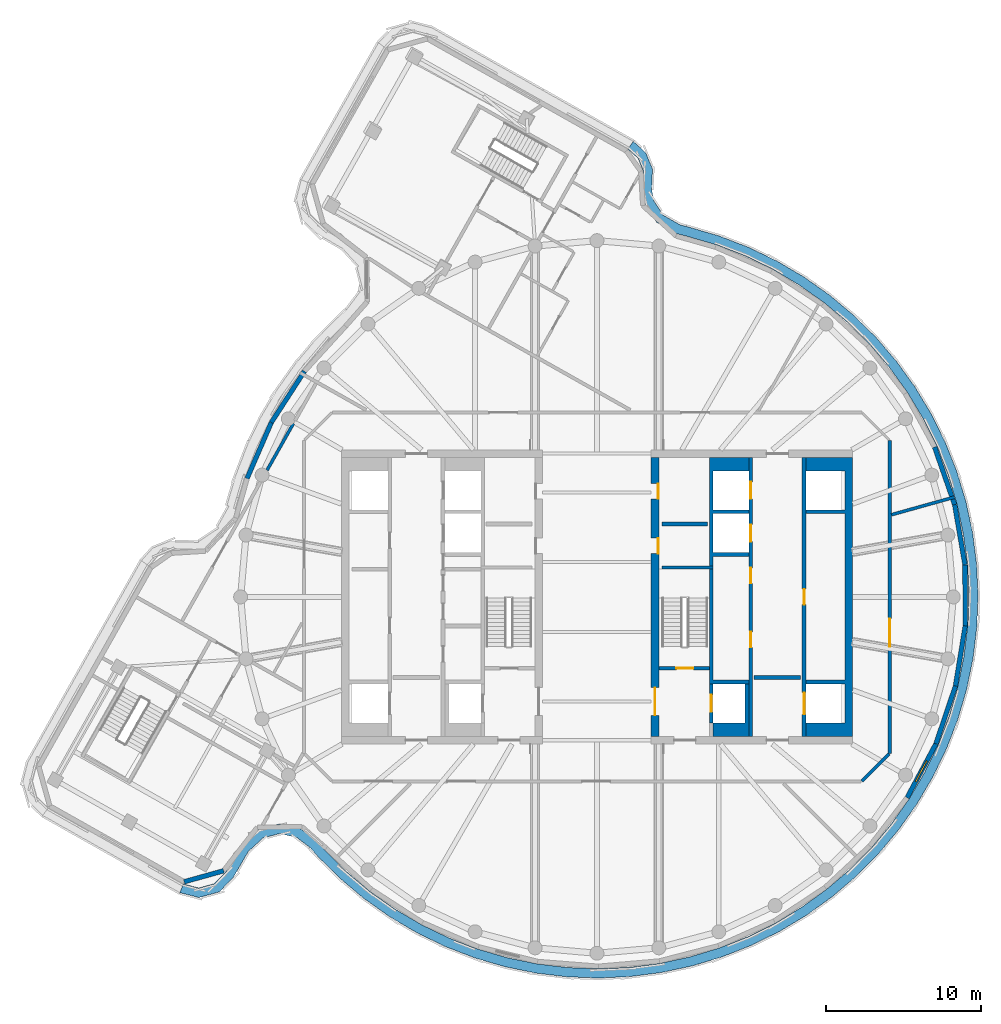
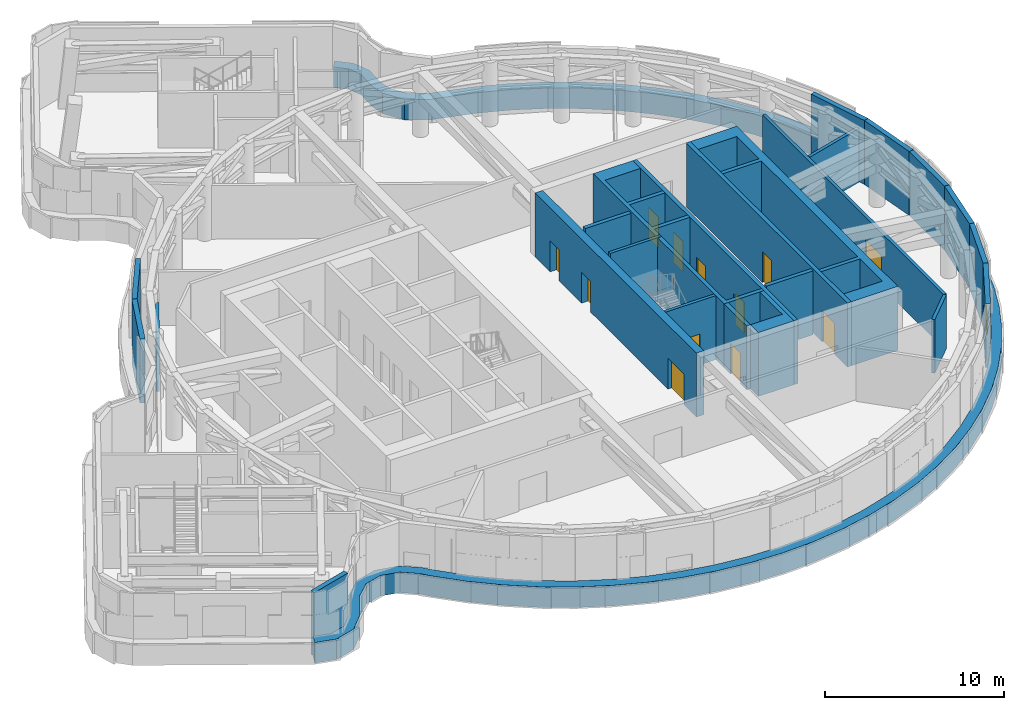
# One storey, part 7 of 15: 24 walls, 12 doors, 1 member, 1 window, 13 openings.
"""IFC4 building model written with IfcOpenShell, lengths in metres."""

import ifcopenshell
import ifcopenshell.guid

model = None  # the IFC model being written
_history = None  # IfcOwnerHistory: only IFC2X3 demands one
_inside = {}  # id of a spatial element -> (the spatial element, [elements in it])
_under = {}  # id of a project, library or spatial element -> (it, [spatial elements below it])
_declared = {}  # id of a project -> (the project, [libraries it declares])
_typed = {}  # id of a type object -> (the type object, [elements of that type])
_made_of = {}  # id of a material, layer set ... -> (it, [elements and type objects made of it])


def new_model(schema):
    """Start an empty IFC model of exactly this schema.

    Asked for "IFC4X3", IfcOpenShell would pick the latest addendum, in which some entities
    have other attributes; the version numbers below select the first issue.
    IFC2X3 requires an IfcOwnerHistory on every rooted entity: one is made here for all.
    """
    global model, _history
    if schema == "IFC4X3":
        model = ifcopenshell.file(schema_version=(4, 3, 0, 0))
    else:
        model = ifcopenshell.file(schema=schema)
    _inside.clear()
    _under.clear()
    _declared.clear()
    _typed.clear()
    _made_of.clear()
    _history = None
    if model.schema == "IFC2X3":
        org = make("IfcOrganization", Name="unknown")
        user = make(
            "IfcPersonAndOrganization",
            ThePerson=make("IfcPerson", FamilyName="unknown"),
            TheOrganization=org,
        )
        app = make(
            "IfcApplication",
            ApplicationDeveloper=org,
            Version="unknown",
            ApplicationFullName="unknown",
            ApplicationIdentifier="unknown",
        )
        _history = make(
            "IfcOwnerHistory",
            OwningUser=user,
            OwningApplication=app,
            ChangeAction="ADDED",
            CreationDate=0,
        )
    return model


def make(cls, **values):
    """One entity of the class cls with the attributes given. An attribute that is None is left unset."""
    return model.create_entity(
        cls, **{name: value for name, value in values.items() if value is not None}
    )


def rooted(cls, **values):
    """An entity with a GlobalId (a new one), such as an element, a storey or a relation."""
    return make(cls, GlobalId=ifcopenshell.guid.new(), OwnerHistory=_history, **values)


def si_unit(unit_type, name, prefix=None):
    """IfcSIUnit, for example si_unit("LENGTHUNIT", "METRE", prefix="MILLI")."""
    return make("IfcSIUnit", UnitType=unit_type, Prefix=prefix, Name=name)


def assignment(units):
    """IfcUnitAssignment: the units of a project."""
    return None if units is None else make("IfcUnitAssignment", Units=units)


def point(xyz):
    """IfcCartesianPoint."""
    return None if xyz is None else make("IfcCartesianPoint", Coordinates=xyz)


def direction(xyz):
    """IfcDirection."""
    return None if xyz is None else make("IfcDirection", DirectionRatios=xyz)


def frame(location, z_axis=None, x_axis=None):
    """IfcAxis2Placement3D, a coordinate frame: its origin and axes. An axis left out is left unset."""
    return make(
        "IfcAxis2Placement3D",
        Location=point(location),
        Axis=direction(z_axis),
        RefDirection=direction(x_axis),
    )


def frame_2d(location, x_axis=None):
    """IfcAxis2Placement2D, a coordinate frame in the plane: its origin and x axis."""
    return make(
        "IfcAxis2Placement2D", Location=point(location), RefDirection=direction(x_axis)
    )


def origin():
    """The frame at (0, 0, 0) with its axes left unset."""
    return frame((0.0, 0.0, 0.0))


def place(relative_to, where):
    """IfcLocalPlacement: puts the frame where relative to a parent placement (None: the world)."""
    return make(
        "IfcLocalPlacement", PlacementRelTo=relative_to, RelativePlacement=where
    )


def context(
    kind, dimensions, precision=None, world=None, true_north=None, identifier=None
):
    """IfcGeometricRepresentationContext, for example the 3D "Model" context."""
    return make(
        "IfcGeometricRepresentationContext",
        ContextIdentifier=identifier,
        ContextType=kind,
        CoordinateSpaceDimension=dimensions,
        Precision=precision,
        WorldCoordinateSystem=world,
        TrueNorth=true_north,
    )


def subcontext(parent, identifier, kind, view, scale=None):
    """IfcGeometricRepresentationSubContext, for example "Body" below "Model"."""
    return make(
        "IfcGeometricRepresentationSubContext",
        ContextIdentifier=identifier,
        ContextType=kind,
        ParentContext=parent,
        TargetScale=scale,
        TargetView=view,
    )


def project(units=None, contexts=None):
    """IfcProject with its units and contexts."""
    return rooted(
        "IfcProject",
        Name="project",
        RepresentationContexts=contexts,
        UnitsInContext=assignment(units),
    )


def spatial(cls, under=None, at=None, **own):
    """A site, building, storey or space (cls), placed at a placement, below another one or the project."""
    s = rooted(cls, ObjectPlacement=at, **own)
    if under is not None:
        _under.setdefault(under.id(), (under, []))[1].append(s)
    return s


def polyline(points):
    """IfcPolyline through the points."""
    return make("IfcPolyline", Points=[point(p) for p in points])


def profile(cls, at=None, kind="AREA", **sizes):
    """A parametric profile (cls). Its sizes go by their IFC names, for example OverallWidth=200.0."""
    return make(cls, ProfileType=kind, Position=at, **sizes)


def rectangle(**sizes):
    """IfcRectangleProfileDef."""
    return profile("IfcRectangleProfileDef", **sizes)


def outline(outer, holes=None, kind="AREA"):
    """IfcArbitraryClosedProfileDef: a profile drawn as a closed curve; with holes, ...WithVoids."""
    if holes is None:
        return make("IfcArbitraryClosedProfileDef", ProfileType=kind, OuterCurve=outer)
    return make(
        "IfcArbitraryProfileDefWithVoids",
        ProfileType=kind,
        OuterCurve=outer,
        InnerCurves=holes,
    )


def extrude(swept, where, along, depth):
    """IfcExtrudedAreaSolid: the profile swept, set in the frame where, extruded along a direction by depth."""
    return make(
        "IfcExtrudedAreaSolid",
        SweptArea=swept,
        Position=where,
        ExtrudedDirection=direction(along),
        Depth=depth,
    )


def shape(context_of_items, identifier, shape_type, items):
    """IfcShapeRepresentation: the items that make up one representation, for example the "Body"."""
    return make(
        "IfcShapeRepresentation",
        ContextOfItems=context_of_items,
        RepresentationIdentifier=identifier,
        RepresentationType=shape_type,
        Items=items,
    )


def material(Name=None, Category=None):
    """IfcMaterial."""
    return make("IfcMaterial", Name=Name, Category=Category)


def layer(
    of_material, thickness, ventilated=None, Name=None, Category=None, Priority=None
):
    """IfcMaterialLayer: one layer of a wall or slab, of a material (None: an air gap)."""
    return make(
        "IfcMaterialLayer",
        Material=of_material,
        LayerThickness=thickness,
        IsVentilated=ventilated,
        Name=Name,
        Category=Category,
        Priority=Priority,
    )


def layer_set(layers, Name=None):
    """IfcMaterialLayerSet."""
    return make("IfcMaterialLayerSet", MaterialLayers=layers, LayerSetName=Name)


def made_of(thing, what):
    """Note that an element or type object is made of a material, layer set ...; save() writes the relation."""
    if what is not None:
        _made_of.setdefault(what.id(), (what, []))[1].append(thing)
    return thing


def type_object(cls, material=None, **own):
    """A type object (cls), such as IfcWallType, which elements share."""
    return made_of(rooted(cls, **own), material)


def element(
    cls,
    number,
    at=None,
    inside=None,
    cuts=None,
    type_object=None,
    material=None,
    context=None,
    identifier="Body",
    shape_type=None,
    held_by="IfcProductDefinitionShape",
    body=None,
    shapes=None,
    **own,
):
    """One element of the class cls, such as IfcWall. Its Tag is "e" and its number.

    at: its placement. inside: the storey or other place that contains it. cuts: it is an
    opening in that element (IfcRelVoidsElement). A single representation is given by context,
    identifier, shape_type and body (its items); several are given by shapes. held_by: the class
    of the entity that holds the representations. save() writes the other relations.
    """
    e = rooted(cls, Tag="e%d" % number, ObjectPlacement=at, **own)
    if body is not None:
        shapes = [shape(context, identifier, shape_type, body)]
    if shapes is not None:
        e.Representation = make(held_by, Representations=shapes)
    if inside is not None:
        _inside.setdefault(inside.id(), (inside, []))[1].append(e)
    if cuts is not None:
        rooted(
            "IfcRelVoidsElement", RelatingBuildingElement=cuts, RelatedOpeningElement=e
        )
    if type_object is not None:
        _typed.setdefault(type_object.id(), (type_object, []))[1].append(e)
    return made_of(e, material)


def fill(opening, filler):
    """IfcRelFillsElement: the door or window that sits in an opening."""
    return rooted(
        "IfcRelFillsElement",
        RelatingOpeningElement=opening,
        RelatedBuildingElement=filler,
    )


def aggregate(whole, parts):
    """IfcRelAggregates: a whole, such as a stair, and the parts it consists of."""
    return rooted("IfcRelAggregates", RelatingObject=whole, RelatedObjects=parts)


def save(model, path):
    """Write the relations noted so far, then the file.

    IfcRelAggregates (storeys below a building ...), IfcRelContainedInSpatialStructure (elements
    in a storey), IfcRelDefinesByType, IfcRelAssociatesMaterial and IfcRelDeclares: one each for
    every whole, place, type object, material and project.
    """
    for whole, parts in _under.values():
        aggregate(whole, parts)
    for where, things in _inside.values():
        rooted(
            "IfcRelContainedInSpatialStructure",
            RelatedElements=things,
            RelatingStructure=where,
        )
    for kind, things in _typed.values():
        rooted("IfcRelDefinesByType", RelatedObjects=things, RelatingType=kind)
    for what, things in _made_of.values():
        rooted("IfcRelAssociatesMaterial", RelatedObjects=things, RelatingMaterial=what)
    for by, libraries in _declared.values():
        rooted("IfcRelDeclares", RelatingContext=by, RelatedDefinitions=libraries)
    model.write(path)


model = new_model("IFC4")

# Units and contexts
model_context = context("Model", 3, precision=1e-05, world=origin(), true_north=direction((0.0, 1.0)))
body_context = subcontext(model_context, "Body", "Model", "MODEL_VIEW")
ifc_project = project(units=[si_unit("LENGTHUNIT", "METRE"), si_unit("AREAUNIT", "SQUARE_METRE"), si_unit("VOLUMEUNIT", "CUBIC_METRE"), si_unit("PLANEANGLEUNIT", "RADIAN"), si_unit("MASSUNIT", "GRAM", prefix="KILO")], contexts=[model_context])

# Member
ifc_material_1 = material(Name="Aluminium and insulated spandrel panel", Category="aluminium")
member_type = type_object("IfcMemberType", Name="Floor-edge blade transom", PredefinedType="USERDEFINED", material=ifc_material_1)
site_placement = place(None, origin())
building_placement = place(site_placement, origin())
storey_placement = place(building_placement, frame((0.0, 0.0, 252.300048828125)))
member_placement = place(storey_placement, origin())
member = element("IfcMember", 1, at=member_placement, type_object=member_type, Name="CWT-L64-01", ObjectType="TRANSOM", PredefinedType="USERDEFINED", context=body_context, shape_type="SweptSolid", body=[
    extrude(outline(polyline([(-26.699951171875, -18.525390625), (-25.697265625, -18.782958984375), (-24.7001953125, -18.504638671875), (-23.975830078125, -17.764892578125), (-22.974365234375, -16.046630859375), (-21.849609375, -15.011962890625), (-20.488037109375, -14.65576171875), (-19.1162109375, -14.970703125), (-18.076171875, -15.76025390625), (-17.584228515625, -16.327880859375), (-16.17578125, -17.72412109375), (-14.656982421875, -18.99951171875), (-13.0380859375, -20.14501953125), (-11.329833984375, -21.15283203125), (-9.54443359375, -22.01611328125), (-7.69384765625, -22.72900390625), (-5.79052734375, -23.286865234375), (-3.84765625, -23.685546875), (-1.878662109375, -23.92236328125), (0.103271484375, -23.995849609375), (2.08447265625, -23.9052734375), (4.051513671875, -23.6513671875), (5.99072265625, -23.236083984375), (7.88916015625, -22.662109375), (9.733642578125, -21.93310546875), (11.511474609375, -21.054443359375), (13.2109375, -20.031982421875), (14.820068359375, -18.87255859375), (16.327880859375, -17.584228515625), (17.72412109375, -16.17578125), (18.99951171875, -14.656982421875), (20.14501953125, -13.0380859375), (21.15283203125, -11.329833984375), (22.01611328125, -9.54443359375), (22.72900390625, -7.69384765625), (23.286865234375, -5.79052734375), (23.685546875, -3.84765625), (23.92236328125, -1.878662109375), (23.995849609375, 0.103271484375), (23.9052734375, 2.08447265625), (23.6513671875, 4.051513671875), (23.236083984375, 5.99072265625), (22.662109375, 7.88916015625), (21.93310546875, 9.733642578125), (21.054443359375, 11.511474609375), (20.031982421875, 13.2109375), (18.87255859375, 14.820068359375), (17.584228515625, 16.327880859375), (16.17578125, 17.72412109375), (14.656982421875, 18.99951171875), (13.0380859375, 20.14501953125), (11.329833984375, 21.15283203125), (9.54443359375, 22.01611328125), (7.69384765625, 22.72900390625), (5.79052734375, 23.286865234375), (5.162841796875, 23.4462890625), (3.86328125, 24.17822265625), (3.107666015625, 25.325439453125), (2.93212890625, 26.23388671875), (2.949462890625, 26.923583984375), (2.980712890625, 27.5068359375), (2.644775390625, 28.321533203125), (1.990966796875, 28.9130859375), (2.34375, 29.40283203125), (3.147705078125, 28.67578125), (3.5869140625, 27.610107421875), (3.549072265625, 26.900146484375), (3.533447265625, 26.28369140625), (3.674072265625, 25.55615234375), (4.2841796875, 24.629638671875), (5.387939453125, 24.00830078125), (5.94873046875, 23.86572265625), (7.88623046875, 23.2978515625), (9.783203125, 22.567138671875), (11.613525390625, 21.68212890625), (13.3642578125, 20.64892578125), (15.023681640625, 19.474853515625), (16.580810546875, 18.167724609375), (18.0244140625, 16.736572265625), (19.344970703125, 15.19091796875), (20.533203125, 13.54150390625), (21.581298828125, 11.799560546875), (22.482177734375, 9.97705078125), (23.229248046875, 8.08642578125), (23.817626953125, 6.140625), (24.243408203125, 4.15283203125), (24.50341796875, 2.13671875), (24.59619140625, 0.10595703125), (24.52099609375, -1.925537109375), (24.2783203125, -3.944091796875), (23.86962890625, -5.935302734375), (23.2978515625, -7.88623046875), (22.567138671875, -9.783203125), (21.68212890625, -11.613525390625), (20.64892578125, -13.3642578125), (19.474853515625, -15.023681640625), (18.167724609375, -16.580810546875), (16.736572265625, -18.0244140625), (15.19091796875, -19.344970703125), (13.54150390625, -20.533203125), (11.799560546875, -21.581298828125), (9.97705078125, -22.482177734375), (8.08642578125, -23.229248046875), (6.140625, -23.817626953125), (4.15283203125, -24.243408203125), (2.13671875, -24.50341796875), (0.10595703125, -24.59619140625), (-1.925537109375, -24.52099609375), (-3.944091796875, -24.2783203125), (-5.935302734375, -23.86962890625), (-7.88623046875, -23.2978515625), (-9.783203125, -22.567138671875), (-11.613525390625, -21.68212890625), (-13.3642578125, -20.64892578125), (-15.023681640625, -19.474853515625), (-16.580810546875, -18.167724609375), (-18.02294921875, -16.738037109375), (-18.48876953125, -16.200439453125), (-19.376220703125, -15.526611328125), (-20.478515625, -15.2734375), (-21.55322265625, -15.5546875), (-22.501708984375, -16.4267578125), (-23.494873046875, -18.13134765625), (-24.384033203125, -19.039306640625), (-25.69091796875, -19.404052734375), (-26.92578125, -19.0869140625), (-26.699951171875, -18.525390625)])), origin(), (0.0, 0.0, 1.0), 1.39990234375),
])

# Site, building, storey
site = spatial("IfcSite", under=ifc_project, at=site_placement, CompositionType="ELEMENT")
building = spatial("IfcBuilding", under=site, at=building_placement, Name="Tamarind Cross Interchange Tower", CompositionType="ELEMENT")
storey = spatial("IfcBuildingStorey", under=building, at=storey_placement, Name="L64", CompositionType="ELEMENT", Elevation=252.300048828125)

# Wall
ifc_material_2 = material(Name="Concrete C50", Category="concrete")
ifc_layer_1 = layer(ifc_material_2, 0.5)
ifc_layer_set_1 = layer_set([ifc_layer_1], Name="Concrete C50")
wall_type_1 = type_object("IfcWallType", Name="Core wall 500 mm Concrete C50", PredefinedType="SHEAR", material=ifc_layer_set_1)
wall_1_placement = place(storey_placement, origin())
element("IfcWall", 2, at=wall_1_placement, inside=storey, type_object=wall_type_1, Name="Core wall CWL-L64-E-A", PredefinedType="SHEAR", context=body_context, shape_type="SweptSolid", body=[
    extrude(outline(polyline([(13.5, -8.125), (13.5, -9.0), (16.0, -9.0), (16.5, -9.0), (16.5, 9.0), (16.0, 9.0), (13.5, 9.0), (13.5, 8.125), (16.0, 8.125), (16.0, 5.625), (13.5, 5.625), (13.5, 5.375), (16.0, 5.375), (16.0, -5.375), (13.5, -5.375), (13.5, -5.625), (16.0, -5.625), (16.0, -8.125), (13.5, -8.125)])), origin(), (0.0, 0.0, 1.0), 4.35986328125),
])

# Wall, openings, doors
wall_2_placement = place(storey_placement, frame((3.75, -9.0, 0.0), z_axis=(0.0, 0.0, 1.0), x_axis=(0.0, 1.0, 0.0)))
wall_2 = element("IfcWall", 3, at=wall_2_placement, inside=storey, type_object=wall_type_1, Name="Core wall CWL-L64-E-IN", PredefinedType="SHEAR", context=body_context, shape_type="SweptSolid", body=[
    extrude(rectangle(XDim=18.0, YDim=0.5, at=frame_2d((9.0, 0.0))), origin(), (0.0, 0.0, 1.0), 4.35986328125),
])
opening_1_placement = place(wall_2_placement, frame((1.35009765625, 0.0, 0.0)))
opening_1 = element("IfcOpeningElement", 4, at=opening_1_placement, cuts=wall_2, Name="Opening DCE4", PredefinedType="OPENING", context=body_context, shape_type="SweptSolid", body=[
    extrude(rectangle(XDim=1.800048828125, YDim=2.10009765625, at=frame_2d((0.89990234375, 1.050048828125))), frame((0.0, 0.260009765625, 0.0), z_axis=(0.0, -1.0, 0.0), x_axis=(1.0, 0.0, 0.0)), (0.0, 0.0, 1.0), 0.52001953125),
])
opening_2_placement = place(wall_2_placement, frame((11.797607421875, 0.0, 0.0)))
opening_2 = element("IfcOpeningElement", 5, at=opening_2_placement, cuts=wall_2, Name="Opening DCE5", PredefinedType="OPENING", context=body_context, shape_type="SweptSolid", body=[
    extrude(rectangle(XDim=1.0, YDim=2.10009765625, at=frame_2d((0.5, 1.050048828125))), frame((0.0, 0.260009765625, 0.0), z_axis=(0.0, -1.0, 0.0), x_axis=(1.0, 0.0, 0.0)), (0.0, 0.0, 1.0), 0.52001953125),
])
opening_3_placement = place(wall_2_placement, frame((15.322509765625, 0.0, 0.0)))
opening_3 = element("IfcOpeningElement", 6, at=opening_3_placement, cuts=wall_2, Name="Opening DCE5", PredefinedType="OPENING", context=body_context, shape_type="SweptSolid", body=[
    extrude(rectangle(XDim=1.0, YDim=2.10009765625, at=frame_2d((0.5, 1.050048828125))), frame((0.0, 0.260009765625, 0.0), z_axis=(0.0, -1.0, 0.0), x_axis=(1.0, 0.0, 0.0)), (0.0, 0.0, 1.0), 0.52001953125),
])
ifc_material_3 = material(Name="Steel, fire-resisting", Category="steel")
door_type_1 = type_object("IfcDoorType", Name="Core fire door 1000 x 2100 FD90", OperationType="SINGLE_SWING_LEFT", PredefinedType="DOOR", material=ifc_material_3)
door_1_placement = place(opening_2_placement, origin())
door_1 = element("IfcDoor", 7, at=door_1_placement, inside=storey, type_object=door_type_1, Name="L64 plant store door", OperationType="SINGLE_SWING_LEFT", OverallHeight=2.10009765625, OverallWidth=1.0, PredefinedType="DOOR", context=body_context, shape_type="SweptSolid", body=[
    extrude(rectangle(XDim=1.0, YDim=2.10009765625, at=frame_2d((0.5, 1.050048828125))), frame((0.0, -0.1748046875, 0.0), z_axis=(0.0, -1.0, 0.0), x_axis=(1.0, 0.0, 0.0)), (0.0, 0.0, 1.0), 0.050048828125),
])
fill(opening_2, door_1)
door_2_placement = place(opening_3_placement, origin())
door_2 = element("IfcDoor", 8, at=door_2_placement, inside=storey, type_object=door_type_1, Name="L64 pump store door", OperationType="SINGLE_SWING_LEFT", OverallHeight=2.10009765625, OverallWidth=1.0, PredefinedType="DOOR", context=body_context, shape_type="SweptSolid", body=[
    extrude(rectangle(XDim=1.0, YDim=2.10009765625, at=frame_2d((0.5, 1.050048828125))), frame((0.0, -0.1748046875, 0.0), z_axis=(0.0, -1.0, 0.0), x_axis=(1.0, 0.0, 0.0)), (0.0, 0.0, 1.0), 0.050048828125),
])
fill(opening_3, door_2)
door_type_2 = type_object("IfcDoorType", Name="Core fire door 1800 x 2100 FD90", OperationType="SINGLE_SWING_LEFT", PredefinedType="DOOR", material=ifc_material_3)
door_3_placement = place(opening_1_placement, origin())
door_3 = element("IfcDoor", 9, at=door_3_placement, inside=storey, type_object=door_type_2, Name="L64 firefighting lobby door", OperationType="SINGLE_SWING_LEFT", OverallHeight=2.10009765625, OverallWidth=1.800048828125, PredefinedType="DOOR", context=body_context, shape_type="SweptSolid", body=[
    extrude(rectangle(XDim=1.800048828125, YDim=2.10009765625, at=frame_2d((0.89990234375, 1.050048828125))), frame((0.0, 0.02490234375, 0.0), z_axis=(0.0, -1.0, 0.0), x_axis=(1.0, 0.0, 0.0)), (0.0, 0.0, 1.0), 0.050048828125),
])
fill(opening_1, door_3)

# Walls
ifc_layer_2 = layer(ifc_material_2, 0.199951171875)
ifc_layer_set_2 = layer_set([ifc_layer_2], Name="Concrete C50")
wall_type_2 = type_object("IfcWallType", Name="Core web wall 200 mm Concrete C50", PredefinedType="SHEAR", material=ifc_layer_set_2)
wall_3_placement = place(storey_placement, frame((7.5, 1.89990234375, 0.0), z_axis=(0.0, 0.0, 1.0), x_axis=(-1.0, 0.0, 0.0)))
element("IfcWall", 10, at=wall_3_placement, inside=storey, type_object=wall_type_2, Name="Core wall CWL-L64-E-BD", PredefinedType="SHEAR", context=body_context, shape_type="SweptSolid", body=[
    extrude(rectangle(XDim=3.300048828125, YDim=0.199951171875, at=frame_2d((1.64990234375, 0.0))), origin(), (0.0, 0.0, 1.0), 4.35986328125),
])
ifc_layer_3 = layer(ifc_material_2, 0.25)
ifc_layer_set_3 = layer_set([ifc_layer_3], Name="Concrete C50")
wall_type_3 = type_object("IfcWallType", Name="Core web wall 250 mm Concrete C50", PredefinedType="SHEAR", material=ifc_layer_set_3)
wall_4_placement = place(storey_placement, origin())
element("IfcWall", 11, at=wall_4_placement, inside=storey, type_object=wall_type_3, Name="Core wall CWL-L64-E-BN", PredefinedType="SHEAR", context=body_context, shape_type="SweptSolid", body=[
    extrude(outline(polyline([(9.800048828125, -5.375), (7.5, -5.375), (7.5, 2.625), (9.800048828125, 2.625), (9.800048828125, 2.875), (7.5, 2.875), (7.5, 5.375), (9.800048828125, 5.375), (9.800048828125, 5.625), (7.5, 5.625), (7.5, 8.125), (9.800048828125, 8.125), (9.800048828125, 9.0), (7.5, 9.0), (7.25, 9.0), (7.25, -5.625), (7.5, -5.625), (9.800048828125, -5.625), (9.800048828125, -5.375)])), origin(), (0.0, 0.0, 1.0), 4.35986328125),
])
wall_5_placement = place(storey_placement, origin())
element("IfcWall", 12, at=wall_5_placement, inside=storey, type_object=wall_type_3, Name="Core wall CWL-L64-E-BS", PredefinedType="SHEAR", context=body_context, shape_type="SweptSolid", body=[
    extrude(outline(polyline([(7.5, -8.125), (7.5, -9.0), (9.800048828125, -9.0), (9.800048828125, -8.125), (9.800048828125, -5.625), (9.550048828125, -5.625), (9.550048828125, -8.125), (7.5, -8.125)])), origin(), (0.0, 0.0, 1.0), 4.35986328125),
])

# Wall, openings, doors
wall_6_placement = place(storey_placement, frame((13.375, -9.0, 0.0), z_axis=(0.0, 0.0, 1.0), x_axis=(0.0, 1.0, 0.0)))
wall_6 = element("IfcWall", 13, at=wall_6_placement, inside=storey, type_object=wall_type_3, Name="Core wall CWL-L64-E-LA", PredefinedType="SHEAR", context=body_context, shape_type="SweptSolid", body=[
    extrude(rectangle(XDim=18.0, YDim=0.25, at=frame_2d((9.0, 0.0))), origin(), (0.0, 0.0, 1.0), 4.35986328125),
])
opening_4_placement = place(wall_6_placement, frame((1.425048828125, 0.0, 0.0)))
opening_4 = element("IfcOpeningElement", 14, at=opening_4_placement, cuts=wall_6, Name="Opening LD13L64", PredefinedType="OPENING", context=body_context, shape_type="SweptSolid", body=[
    extrude(rectangle(XDim=1.39990234375, YDim=2.10009765625, at=frame_2d((0.699951171875, 1.050048828125))), frame((0.0, 0.135009765625, 0.0), z_axis=(0.0, -1.0, 0.0), x_axis=(1.0, 0.0, 0.0)), (0.0, 0.0, 1.0), 0.27001953125),
])
opening_5_placement = place(wall_6_placement, frame((8.5, 0.0, 0.0)))
opening_5 = element("IfcOpeningElement", 15, at=opening_5_placement, cuts=wall_6, Name="Opening DCE9", PredefinedType="OPENING", context=body_context, shape_type="SweptSolid", body=[
    extrude(rectangle(XDim=1.0, YDim=2.10009765625, at=frame_2d((0.5, 1.050048828125))), frame((0.0, 0.135009765625, 0.0), z_axis=(0.0, -1.0, 0.0), x_axis=(1.0, 0.0, 0.0)), (0.0, 0.0, 1.0), 0.27001953125),
])
door_4_placement = place(opening_5_placement, origin())
door_4 = element("IfcDoor", 16, at=door_4_placement, inside=storey, type_object=door_type_1, Name="L64 Refuge battery room door", OperationType="SINGLE_SWING_LEFT", OverallHeight=2.10009765625, OverallWidth=1.0, PredefinedType="DOOR", context=body_context, shape_type="SweptSolid", body=[
    extrude(rectangle(XDim=1.0, YDim=2.10009765625, at=frame_2d((0.5, 1.050048828125))), frame((0.0, 0.02490234375, 0.0), z_axis=(0.0, -1.0, 0.0), x_axis=(1.0, 0.0, 0.0)), (0.0, 0.0, 1.0), 0.050048828125),
])
fill(opening_5, door_4)
ifc_material_4 = material(Name="Stainless steel panel", Category="steel")
door_type_3 = type_object("IfcDoorType", Name="Lift landing door 1400 x 2100 E 120", OperationType="SLIDING_TO_LEFT", PredefinedType="DOOR", material=ifc_material_4)
door_5_placement = place(opening_4_placement, origin())
door_5 = element("IfcDoor", 17, at=door_5_placement, inside=storey, type_object=door_type_3, Name="L64 landing door LF13", OperationType="SLIDING_TO_LEFT", OverallHeight=2.10009765625, OverallWidth=1.39990234375, PredefinedType="DOOR", context=body_context, shape_type="SweptSolid", body=[
    extrude(rectangle(XDim=1.39990234375, YDim=2.10009765625, at=frame_2d((0.699951171875, 1.050048828125))), frame((0.0, 0.02490234375, 0.0), z_axis=(0.0, -1.0, 0.0), x_axis=(1.0, 0.0, 0.0)), (0.0, 0.0, 1.0), 0.050048828125),
])
fill(opening_4, door_5)

wall_7_placement = place(storey_placement, frame((9.925048828125, -9.0, 0.0), z_axis=(0.0, 0.0, 1.0), x_axis=(0.0, 1.0, 0.0)))
wall_7 = element("IfcWall", 18, at=wall_7_placement, inside=storey, type_object=wall_type_3, Name="Core wall CWL-L64-E-LB", PredefinedType="SHEAR", context=body_context, shape_type="SweptSolid", body=[
    extrude(rectangle(XDim=18.0, YDim=0.25, at=frame_2d((9.0, 0.0))), origin(), (0.0, 0.0, 1.0), 4.35986328125),
])
opening_6_placement = place(wall_7_placement, frame((12.574951171875, 0.0, 0.0)))
opening_6 = element("IfcOpeningElement", 19, at=opening_6_placement, cuts=wall_7, Name="Opening LD23L64", PredefinedType="OPENING", context=body_context, shape_type="SweptSolid", body=[
    extrude(rectangle(XDim=1.10009765625, YDim=2.10009765625, at=frame_2d((0.550048828125, 1.050048828125))), frame((0.0, 0.135009765625, 0.0), z_axis=(0.0, -1.0, 0.0), x_axis=(1.0, 0.0, 0.0)), (0.0, 0.0, 1.0), 0.27001953125),
])
opening_7_placement = place(wall_7_placement, frame((15.324951171875, 0.0, 0.0)))
opening_7 = element("IfcOpeningElement", 20, at=opening_7_placement, cuts=wall_7, Name="Opening LD24L64", PredefinedType="OPENING", context=body_context, shape_type="SweptSolid", body=[
    extrude(rectangle(XDim=1.10009765625, YDim=2.10009765625, at=frame_2d((0.550048828125, 1.050048828125))), frame((0.0, 0.135009765625, 0.0), z_axis=(0.0, -1.0, 0.0), x_axis=(1.0, 0.0, 0.0)), (0.0, 0.0, 1.0), 0.27001953125),
])
opening_8_placement = place(wall_7_placement, frame((5.75, 0.0, 0.0)))
opening_8 = element("IfcOpeningElement", 21, at=opening_8_placement, cuts=wall_7, Name="Opening DCE21", PredefinedType="OPENING", context=body_context, shape_type="SweptSolid", body=[
    extrude(rectangle(XDim=1.0, YDim=2.10009765625, at=frame_2d((0.5, 1.050048828125))), frame((0.0, 0.135009765625, 0.0), z_axis=(0.0, -1.0, 0.0), x_axis=(1.0, 0.0, 0.0)), (0.0, 0.0, 1.0), 0.27001953125),
])
opening_9_placement = place(wall_7_placement, frame((9.875, 0.0, 0.0)))
opening_9 = element("IfcOpeningElement", 22, at=opening_9_placement, cuts=wall_7, Name="Opening DCE21", PredefinedType="OPENING", context=body_context, shape_type="SweptSolid", body=[
    extrude(rectangle(XDim=1.0, YDim=2.10009765625, at=frame_2d((0.5, 1.050048828125))), frame((0.0, 0.135009765625, 0.0), z_axis=(0.0, -1.0, 0.0), x_axis=(1.0, 0.0, 0.0)), (0.0, 0.0, 1.0), 0.27001953125),
])
door_6_placement = place(opening_8_placement, origin())
door_6 = element("IfcDoor", 23, at=door_6_placement, inside=storey, type_object=door_type_1, Name="L64 Refuge pump room door", OperationType="SINGLE_SWING_LEFT", OverallHeight=2.10009765625, OverallWidth=1.0, PredefinedType="DOOR", context=body_context, shape_type="SweptSolid", body=[
    extrude(rectangle(XDim=1.0, YDim=2.10009765625, at=frame_2d((0.5, 1.050048828125))), frame((0.0, 0.02490234375, 0.0), z_axis=(0.0, -1.0, 0.0), x_axis=(1.0, 0.0, 0.0)), (0.0, 0.0, 1.0), 0.050048828125),
])
fill(opening_8, door_6)
door_7_placement = place(opening_9_placement, origin())
door_7 = element("IfcDoor", 24, at=door_7_placement, inside=storey, type_object=door_type_1, Name="L64 Refuge plant room door", OperationType="SINGLE_SWING_LEFT", OverallHeight=2.10009765625, OverallWidth=1.0, PredefinedType="DOOR", context=body_context, shape_type="SweptSolid", body=[
    extrude(rectangle(XDim=1.0, YDim=2.10009765625, at=frame_2d((0.5, 1.050048828125))), frame((0.0, 0.02490234375, 0.0), z_axis=(0.0, -1.0, 0.0), x_axis=(1.0, 0.0, 0.0)), (0.0, 0.0, 1.0), 0.050048828125),
])
fill(opening_9, door_7)
door_type_4 = type_object("IfcDoorType", Name="Lift landing door 1100 x 2100 E 120", OperationType="SLIDING_TO_LEFT", PredefinedType="DOOR", material=ifc_material_4)
door_8_placement = place(opening_6_placement, origin())
door_8 = element("IfcDoor", 25, at=door_8_placement, inside=storey, type_object=door_type_4, Name="L64 landing door LF23", OperationType="SLIDING_TO_LEFT", OverallHeight=2.10009765625, OverallWidth=1.10009765625, PredefinedType="DOOR", context=body_context, shape_type="SweptSolid", body=[
    extrude(rectangle(XDim=1.10009765625, YDim=2.10009765625, at=frame_2d((0.550048828125, 1.050048828125))), frame((0.0, 0.02490234375, 0.0), z_axis=(0.0, -1.0, 0.0), x_axis=(1.0, 0.0, 0.0)), (0.0, 0.0, 1.0), 0.050048828125),
])
fill(opening_6, door_8)
door_9_placement = place(opening_7_placement, origin())
door_9 = element("IfcDoor", 26, at=door_9_placement, inside=storey, type_object=door_type_4, Name="L64 landing door LF24", OperationType="SLIDING_TO_LEFT", OverallHeight=2.10009765625, OverallWidth=1.10009765625, PredefinedType="DOOR", context=body_context, shape_type="SweptSolid", body=[
    extrude(rectangle(XDim=1.10009765625, YDim=2.10009765625, at=frame_2d((0.550048828125, 1.050048828125))), frame((0.0, 0.02490234375, 0.0), z_axis=(0.0, -1.0, 0.0), x_axis=(1.0, 0.0, 0.0)), (0.0, 0.0, 1.0), 0.050048828125),
])
fill(opening_7, door_9)

# Wall, opening, door
wall_8_placement = place(storey_placement, frame((7.375, -8.125, 0.0), z_axis=(0.0, 0.0, 1.0), x_axis=(0.0, 1.0, 0.0)))
wall_8 = element("IfcWall", 27, at=wall_8_placement, inside=storey, type_object=wall_type_3, Name="Core wall CWL-L64-E-FF", PredefinedType="SHEAR", context=body_context, shape_type="SweptSolid", body=[
    extrude(rectangle(XDim=2.5, YDim=0.25, at=frame_2d((1.25, 0.0))), origin(), (0.0, 0.0, 1.0), 4.35986328125),
])
opening_10_placement = place(wall_8_placement, frame((0.699951171875, 0.0, 0.0)))
opening_10 = element("IfcOpeningElement", 28, at=opening_10_placement, cuts=wall_8, Name="Opening LD19L64", PredefinedType="OPENING", context=body_context, shape_type="SweptSolid", body=[
    extrude(rectangle(XDim=1.10009765625, YDim=2.10009765625, at=frame_2d((0.550048828125, 1.050048828125))), frame((0.0, 0.135009765625, 0.0), z_axis=(0.0, -1.0, 0.0), x_axis=(1.0, 0.0, 0.0)), (0.0, 0.0, 1.0), 0.27001953125),
])
door_10_placement = place(opening_10_placement, origin())
door_10 = element("IfcDoor", 29, at=door_10_placement, inside=storey, type_object=door_type_4, Name="L64 landing door LF19", OperationType="SLIDING_TO_LEFT", OverallHeight=2.10009765625, OverallWidth=1.10009765625, PredefinedType="DOOR", context=body_context, shape_type="SweptSolid", body=[
    extrude(rectangle(XDim=1.10009765625, YDim=2.10009765625, at=frame_2d((0.550048828125, 1.050048828125))), frame((0.0, 0.02490234375, 0.0), z_axis=(0.0, -1.0, 0.0), x_axis=(1.0, 0.0, 0.0)), (0.0, 0.0, 1.0), 0.050048828125),
])
fill(opening_10, door_10)

# Walls
ifc_material_5 = material(Name="Gypsum board partition on steel studs", Category="steel")
ifc_layer_4 = layer(ifc_material_5, 0.199951171875)
ifc_layer_set_4 = layer_set([ifc_layer_4], Name="Gypsum board partition on steel studs")
wall_type_4 = type_object("IfcWallType", Name="Partition 200 mm EI 180", PredefinedType="PARTITIONING", material=ifc_layer_set_4)
wall_9_placement = place(storey_placement, frame((19.0107421875, 5.306884765625, 0.0), z_axis=(0.0, 0.0, 1.0), x_axis=(0.963121770568, 0.269065893524, 0.0)))
element("IfcWall", 30, at=wall_9_placement, inside=storey, type_object=wall_type_4, Name="Partition L64-022", PredefinedType="PARTITIONING", context=body_context, shape_type="SweptSolid", body=[
    extrude(rectangle(XDim=4.222900390625, YDim=0.199951171875, at=frame_2d((2.111328125, 0.0))), origin(), (0.0, 0.0, 1.0), 3.659912109375),
])
wall_10_placement = place(storey_placement, frame((17.10009765625, -11.89990234375, 0.0), z_axis=(0.0, 0.0, 1.0), x_axis=(0.707106781187, 0.707106781187, 0.0)))
element("IfcWall", 31, at=wall_10_placement, inside=storey, type_object=wall_type_4, Name="Partition L64-025", PredefinedType="PARTITIONING", context=body_context, shape_type="SweptSolid", body=[
    extrude(rectangle(XDim=2.485595703125, YDim=0.199951171875, at=frame_2d((1.24267578125, 0.0))), origin(), (0.0, 0.0, 1.0), 3.659912109375),
])
wall_11_placement = place(storey_placement, frame((-21.295166015625, 8.177001953125, 0.0), z_axis=(0.0, 0.0, 1.0), x_axis=(0.490973223741, 0.871174663067, 0.0)))
element("IfcWall", 32, at=wall_11_placement, inside=storey, type_object=wall_type_4, Name="Partition L64-028", PredefinedType="PARTITIONING", context=body_context, shape_type="SweptSolid", body=[
    extrude(rectangle(XDim=3.466796875, YDim=0.199951171875, at=frame_2d((1.7333984375, 0.0))), origin(), (0.0, 0.0, 1.0), 3.659912109375),
])

# Wall, opening, door
wall_12_placement = place(storey_placement, frame((18.89990234375, -10.10009765625, 0.0), z_axis=(0.0, 0.0, 1.0), x_axis=(0.0, 1.0, 0.0)))
wall_12 = element("IfcWall", 33, at=wall_12_placement, inside=storey, type_object=wall_type_4, Name="Partition L64-045", PredefinedType="PARTITIONING", context=body_context, shape_type="SweptSolid", body=[
    extrude(rectangle(XDim=20.2001953125, YDim=0.199951171875, at=frame_2d((10.10009765625, 0.0))), origin(), (0.0, 0.0, 1.0), 3.659912109375),
])
opening_11_placement = place(wall_12_placement, frame((6.89990234375, 0.0, 0.0)))
opening_11 = element("IfcOpeningElement", 34, at=opening_11_placement, cuts=wall_12, Name="Opening D20", PredefinedType="OPENING", context=body_context, shape_type="SweptSolid", body=[
    extrude(rectangle(XDim=1.800048828125, YDim=2.10009765625, at=frame_2d((0.89990234375, 1.050048828125))), frame((0.0, 0.10986328125, 0.0), z_axis=(0.0, -1.0, 0.0), x_axis=(1.0, 0.0, 0.0)), (0.0, 0.0, 1.0), 0.219970703125),
])
ifc_material_6 = material(Name="Fire-resisting door set")
door_type_5 = type_object("IfcDoorType", Name="Interior door 1800 x 2100 FD120S", OperationType="DOUBLE_DOOR_SINGLE_SWING", PredefinedType="DOOR", material=ifc_material_6)
door_11_placement = place(opening_11_placement, frame((1.800048828125, 0.0, 0.0), z_axis=(0.0, 0.0, 1.0), x_axis=(-1.0, 0.0, 0.0)))
door_11 = element("IfcDoor", 35, at=door_11_placement, inside=storey, type_object=door_type_5, Name="Door D20", OperationType="DOUBLE_DOOR_SINGLE_SWING", OverallHeight=2.10009765625, OverallWidth=1.800048828125, PredefinedType="DOOR", context=body_context, shape_type="SweptSolid", body=[
    extrude(rectangle(XDim=1.800048828125, YDim=2.10009765625, at=frame_2d((0.89990234375, 1.050048828125))), frame((0.0, 0.02490234375, 0.0), z_axis=(0.0, -1.0, 0.0), x_axis=(1.0, 0.0, 0.0)), (0.0, 0.0, 1.0), 0.050048828125),
])
fill(opening_11, door_11)

# Wall
ifc_material_7 = material(Name="Precast concrete C40", Category="concrete")
ifc_layer_5 = layer(ifc_material_7, 0.300048828125)
ifc_layer_set_5 = layer_set([ifc_layer_5], Name="Precast concrete C40")
wall_type_5 = type_object("IfcWallType", Name="Plant louvre wall", PredefinedType="SOLIDWALL", material=ifc_layer_set_5)
wall_13_placement = place(storey_placement, frame((-26.6435546875, -18.385009765625, 0.0), z_axis=(0.0, 0.0, 1.0), x_axis=(0.963126802739, 0.269047880209, 0.0)))
wall_13 = element("IfcWall", 36, at=wall_13_placement, inside=storey, type_object=wall_type_5, Name="EXW-L64-01-00", PredefinedType="SOLIDWALL", context=body_context, shape_type="SweptSolid", body=[
    extrude(rectangle(XDim=2.645263671875, YDim=0.300048828125, at=frame_2d((1.32275390625, 0.0))), origin(), (0.0, 0.0, 1.0), 4.35986328125),
])

aggregate(wall_13, [member])

# Wall, opening, window
wall_14_placement = place(storey_placement, frame((20.018798828125, -12.956298828125, 0.0), z_axis=(0.0, 0.0, 1.0), x_axis=(0.472180126088, 0.881502086513, 0.0)))
wall_14 = element("IfcWall", 37, at=wall_14_placement, inside=storey, type_object=wall_type_5, Name="EXW-L64-01-15", PredefinedType="SOLIDWALL", context=body_context, shape_type="SweptSolid", body=[
    extrude(rectangle(XDim=3.9384765625, YDim=0.300048828125, at=frame_2d((1.96923828125, 0.0))), origin(), (0.0, 0.0, 1.0), 4.35986328125),
])
opening_12_placement = place(wall_14_placement, frame((1.199951171875, 0.0, 1.39990234375)))
opening_12 = element("IfcOpeningElement", 38, at=opening_12_placement, cuts=wall_14, Name="Opening W5", PredefinedType="OPENING", context=body_context, shape_type="SweptSolid", body=[
    extrude(rectangle(XDim=1.5, YDim=1.0, at=frame_2d((0.75, 0.5))), frame((0.0, 0.159912109375, 0.0), z_axis=(0.0, -1.0, 0.0), x_axis=(1.0, 0.0, 0.0)), (0.0, 0.0, 1.0), 0.320068359375),
])
ifc_material_8 = material(Name="Aluminium and fire-resisting glass", Category="aluminium")
window_type = type_object("IfcWindowType", Name="Refuge opening window", PartitioningType="DOUBLE_PANEL_VERTICAL", PredefinedType="WINDOW", material=ifc_material_8)
window_placement = place(opening_12_placement, origin())
window = element("IfcWindow", 39, at=window_placement, inside=storey, type_object=window_type, Name="RSW-L64-01-04", OverallHeight=1.0, OverallWidth=1.5, PartitioningType="SINGLE_PANEL", PredefinedType="WINDOW", context=body_context, shape_type="SweptSolid", body=[
    extrude(rectangle(XDim=1.5, YDim=1.0, at=frame_2d((0.75, 0.5))), frame((0.0, 0.030029296875, 0.0), z_axis=(0.0, -1.0, 0.0), x_axis=(1.0, 0.0, 0.0)), (0.0, 0.0, 1.0), 0.06005859375),
])
fill(opening_12, window)

# Walls
wall_15_placement = place(storey_placement, frame((21.87841796875, -9.484619140625, 0.0), z_axis=(0.0, 0.0, 1.0), x_axis=(0.320613287718, 0.947210177172, 0.0)))
element("IfcWall", 40, at=wall_15_placement, inside=storey, type_object=wall_type_5, Name="EXW-L64-01-16", PredefinedType="SOLIDWALL", context=body_context, shape_type="SweptSolid", body=[
    extrude(rectangle(XDim=3.9384765625, YDim=0.300048828125, at=frame_2d((1.96923828125, 0.0))), origin(), (0.0, 0.0, 1.0), 4.35986328125),
])
wall_16_placement = place(storey_placement, frame((23.14111328125, -5.754150390625, 0.0), z_axis=(0.0, 0.0, 1.0), x_axis=(0.160376439891, 0.987055924215, 0.0)))
element("IfcWall", 41, at=wall_16_placement, inside=storey, type_object=wall_type_5, Name="EXW-L64-01-17", PredefinedType="SOLIDWALL", context=body_context, shape_type="SweptSolid", body=[
    extrude(rectangle(XDim=3.938232421875, YDim=0.300048828125, at=frame_2d((1.96923828125, 0.0))), origin(), (0.0, 0.0, 1.0), 4.35986328125),
])
wall_17_placement = place(storey_placement, frame((23.772705078125, -1.866943359375, 0.0), z_axis=(0.0, 0.0, 1.0), x_axis=(-0.004339160737, 0.999990585798, 0.0)))
element("IfcWall", 42, at=wall_17_placement, inside=storey, type_object=wall_type_5, Name="EXW-L64-01-18", PredefinedType="SOLIDWALL", context=body_context, shape_type="SweptSolid", body=[
    extrude(rectangle(XDim=3.9384765625, YDim=0.300048828125, at=frame_2d((1.96923828125, 0.0))), origin(), (0.0, 0.0, 1.0), 4.35986328125),
])
wall_18_placement = place(storey_placement, frame((23.755615234375, 2.071533203125, 0.0), z_axis=(0.0, 0.0, 1.0), x_axis=(-0.168810670753, 0.985648495885, 0.0)))
element("IfcWall", 43, at=wall_18_placement, inside=storey, type_object=wall_type_5, Name="EXW-L64-01-19", PredefinedType="SOLIDWALL", context=body_context, shape_type="SweptSolid", body=[
    extrude(rectangle(XDim=3.93798828125, YDim=0.300048828125, at=frame_2d((1.968994140625, 0.0))), origin(), (0.0, 0.0, 1.0), 4.35986328125),
])
wall_19_placement = place(storey_placement, frame((23.0908203125, 5.953125, 0.0), z_axis=(0.0, 0.0, 1.0), x_axis=(-0.328789892836, 0.944403095277, 0.0)))
element("IfcWall", 44, at=wall_19_placement, inside=storey, type_object=wall_type_5, Name="EXW-L64-01-20", PredefinedType="SOLIDWALL", context=body_context, shape_type="SweptSolid", body=[
    extrude(rectangle(XDim=3.9384765625, YDim=0.300048828125, at=frame_2d((1.96923828125, 0.0))), origin(), (0.0, 0.0, 1.0), 4.35986328125),
])
wall_20_placement = place(storey_placement, frame((-18.880615234375, 14.565185546875, 0.0), z_axis=(0.0, 0.0, 1.0), x_axis=(-0.54336180104, -0.839498632024, 0.0)))
element("IfcWall", 45, at=wall_20_placement, inside=storey, type_object=wall_type_5, Name="EXW-L64-04-05", PredefinedType="SOLIDWALL", context=body_context, shape_type="SweptSolid", body=[
    extrude(rectangle(XDim=3.938232421875, YDim=0.300048828125, at=frame_2d((1.96923828125, 0.0))), origin(), (0.0, 0.0, 1.0), 4.35986328125),
])
wall_21_placement = place(storey_placement, frame((-21.0205078125, 11.259033203125, 0.0), z_axis=(0.0, 0.0, 1.0), x_axis=(-0.397723990735, -0.917505110173, 0.0)))
element("IfcWall", 46, at=wall_21_placement, inside=storey, type_object=wall_type_5, Name="EXW-L64-04-06", PredefinedType="SOLIDWALL", context=body_context, shape_type="SweptSolid", body=[
    extrude(rectangle(XDim=3.9384765625, YDim=0.300048828125, at=frame_2d((1.96923828125, 0.0))), origin(), (0.0, 0.0, 1.0), 4.35986328125),
])
ifc_material_9 = material(Name="Concrete C40", Category="concrete")
ifc_layer_6 = layer(ifc_material_9, 0.25)
ifc_layer_set_6 = layer_set([ifc_layer_6], Name="Concrete C40")
wall_type_6 = type_object("IfcWallType", Name="Shaft and lobby wall 250 mm Concrete C40", PredefinedType="PARTITIONING", material=ifc_layer_set_6)
wall_22_placement = place(storey_placement, frame((7.14990234375, 4.719970703125, 0.0), z_axis=(0.0, 0.0, 1.0), x_axis=(-1.0, 0.0, 0.0)))
element("IfcWall", 47, at=wall_22_placement, inside=storey, type_object=wall_type_6, Name="Shaft wall CWL-L64-E-SVP", PredefinedType="PARTITIONING", context=body_context, shape_type="SweptSolid", body=[
    extrude(rectangle(XDim=2.949951171875, YDim=0.25, at=frame_2d((1.47509765625, 0.0))), origin(), (0.0, 0.0, 1.0), 4.35986328125),
])
wall_23_placement = place(storey_placement, frame((13.14990234375, -5.199951171875, 0.0), z_axis=(0.0, 0.0, 1.0), x_axis=(-1.0, 0.0, 0.0)))
element("IfcWall", 48, at=wall_23_placement, inside=storey, type_object=wall_type_6, Name="Shaft wall CWL-L64-E-EVP", PredefinedType="PARTITIONING", context=body_context, shape_type="SweptSolid", body=[
    extrude(rectangle(XDim=3.0, YDim=0.25, at=frame_2d((1.5, 0.0))), origin(), (0.0, 0.0, 1.0), 4.35986328125),
])

# Wall, opening, door
ifc_layer_7 = layer(ifc_material_9, 0.199951171875)
ifc_layer_set_7 = layer_set([ifc_layer_7], Name="Concrete C40")
wall_type_7 = type_object("IfcWallType", Name="Stair shaft wall 200 mm Concrete C40", PredefinedType="SHEAR", material=ifc_layer_set_7)
wall_24_placement = place(storey_placement, frame((7.25, -4.60009765625, 0.0), z_axis=(0.0, 0.0, 1.0), x_axis=(-1.0, 0.0, 0.0)))
wall_24 = element("IfcWall", 49, at=wall_24_placement, inside=storey, type_object=wall_type_7, Name="Core wall CWL-L64-E-SD", PredefinedType="SHEAR", context=body_context, shape_type="SweptSolid", body=[
    extrude(rectangle(XDim=3.25, YDim=0.199951171875, at=frame_2d((1.625, 0.0))), origin(), (0.0, 0.0, 1.0), 4.35986328125),
])
opening_13_placement = place(wall_24_placement, frame((1.02490234375, 0.0, 0.0)))
opening_13 = element("IfcOpeningElement", 50, at=opening_13_placement, cuts=wall_24, Name="Opening DCE6", PredefinedType="OPENING", context=body_context, shape_type="SweptSolid", body=[
    extrude(rectangle(XDim=1.10009765625, YDim=2.10009765625, at=frame_2d((0.550048828125, 1.050048828125))), frame((0.0, 0.10986328125, 0.0), z_axis=(0.0, -1.0, 0.0), x_axis=(1.0, 0.0, 0.0)), (0.0, 0.0, 1.0), 0.219970703125),
])
door_type_6 = type_object("IfcDoorType", Name="Core fire door 1100 x 2100 FD90", OperationType="SINGLE_SWING_LEFT", PredefinedType="DOOR", material=ifc_material_3)
door_12_placement = place(opening_13_placement, origin())
door_12 = element("IfcDoor", 51, at=door_12_placement, inside=storey, type_object=door_type_6, Name="L64 stair door", OperationType="SINGLE_SWING_LEFT", OverallHeight=2.10009765625, OverallWidth=1.10009765625, PredefinedType="DOOR", context=body_context, shape_type="SweptSolid", body=[
    extrude(rectangle(XDim=1.10009765625, YDim=2.10009765625, at=frame_2d((0.550048828125, 1.050048828125))), frame((0.0, 0.02490234375, 0.0), z_axis=(0.0, -1.0, 0.0), x_axis=(1.0, 0.0, 0.0)), (0.0, 0.0, 1.0), 0.050048828125),
])
fill(opening_13, door_12)

save(model, "model.ifc")
